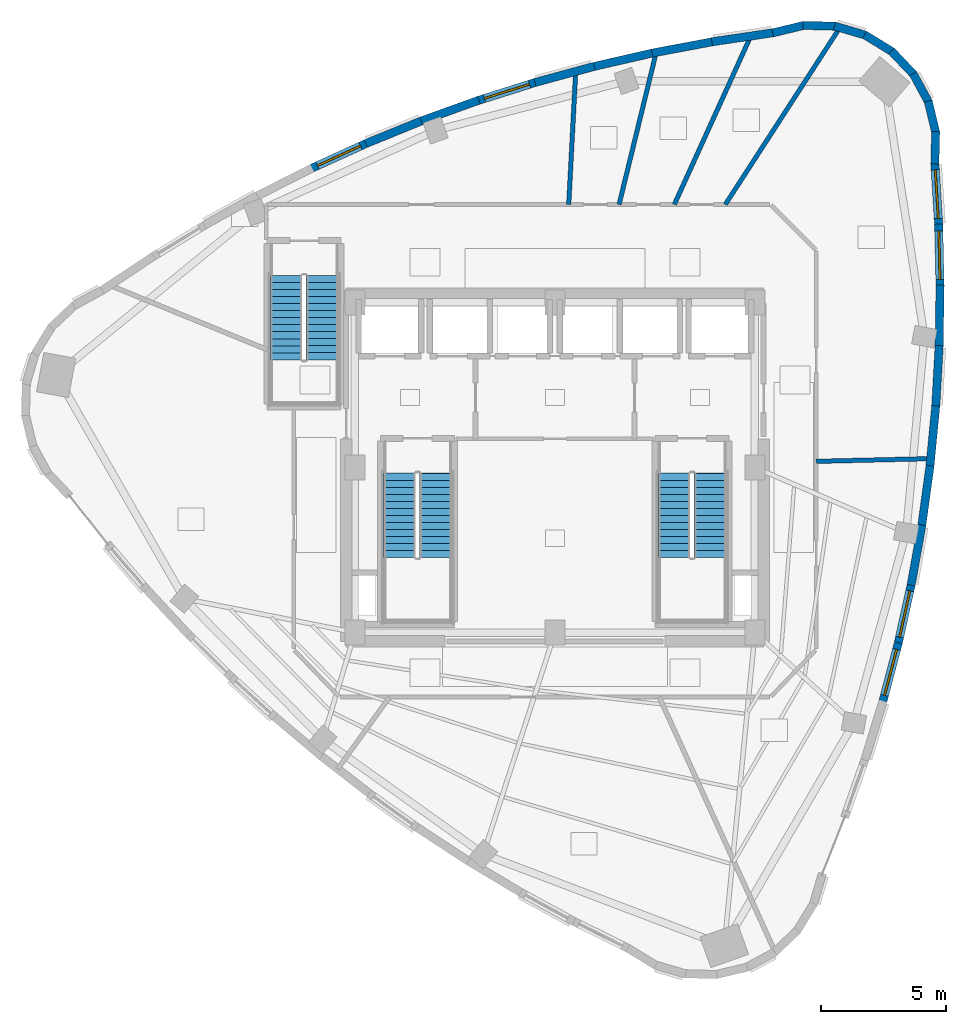
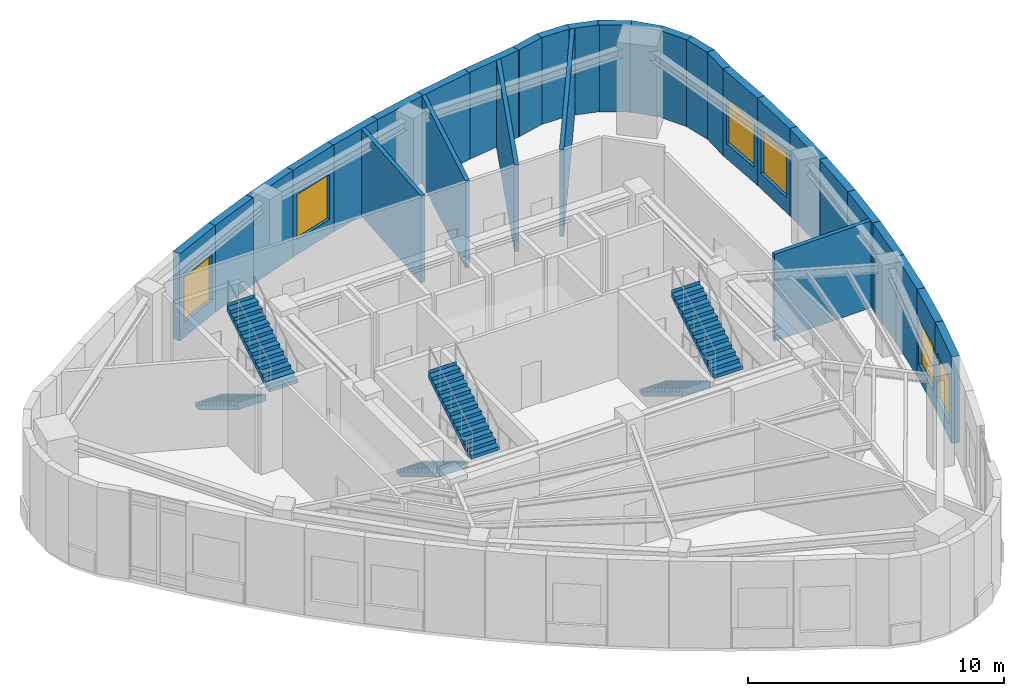
# One storey, part 10 of 13: 30 walls, 6 stair flights, 6 windows, 6 openings, 3 elements without a shape of their own.
"""IFC4 building model written with IfcOpenShell, lengths in metres."""

from ifc_helpers import new_model, si_unit, direction, frame, frame_2d, origin, place, context, subcontext, project, spatial, polyline, rectangle, outline, extrude, material, layer, layer_set, type_object, element, fill, aggregate, save


model = new_model("IFC4")

# Units and contexts
model_context = context("Model", 3, precision=1e-05, world=origin(), true_north=direction((0.0, 1.0)))
body_context = subcontext(model_context, "Body", "Model", "MODEL_VIEW")
ifc_project = project(units=[si_unit("LENGTHUNIT", "METRE"), si_unit("AREAUNIT", "SQUARE_METRE"), si_unit("VOLUMEUNIT", "CUBIC_METRE"), si_unit("PLANEANGLEUNIT", "RADIAN"), si_unit("MASSUNIT", "GRAM", prefix="KILO")], contexts=[model_context])

# Site, building, storey
site_placement = place(None, origin())
site = spatial("IfcSite", under=ifc_project, at=site_placement, CompositionType="ELEMENT")
building_placement = place(site_placement, origin())
building = spatial("IfcBuilding", under=site, at=building_placement, Name="Ndelora Gate Hotel", CompositionType="ELEMENT")
storey_placement = place(building_placement, frame((0.0, 0.0, 272.800048828125)))
storey = spatial("IfcBuildingStorey", under=building, at=storey_placement, Name="L68", CompositionType="ELEMENT", Elevation=272.800048828125)

# Walls
ifc_material_1 = material(Name="Acoustic Double-Stud Gypsum Assembly", Category="gypsum")
ifc_layer_1 = layer(ifc_material_1, 0.179931640625)
ifc_layer_set_1 = layer_set([ifc_layer_1], Name="Acoustic Double-Stud Gypsum Assembly")
wall_type_1 = type_object("IfcWallType", Name="WL-ACOUST-180", PredefinedType="PARTITIONING", material=ifc_layer_set_1)
wall_1_placement = place(storey_placement, frame((0.55126953125, 10.52001953125, 0.0), z_axis=(0.0, 0.0, 1.0), x_axis=(0.05234969433, 0.998628814677, 0.0)))
element("IfcWall", 1, at=wall_1_placement, inside=storey, type_object=wall_type_1, Name="L68 Interior Wall IW-3", PredefinedType="PARTITIONING", context=body_context, shape_type="SweptSolid", body=[
    extrude(rectangle(XDim=5.33056640625, YDim=0.179931640625, at=frame_2d((2.665283203125, 0.0))), origin(), (0.0, 0.0, 1.0), 4.14990234375),
])
wall_2_placement = place(storey_placement, frame((10.449951171875, 0.24609375, 0.0), z_axis=(0.0, 0.0, 1.0), x_axis=(0.999722471899, 0.023557996086, 0.0)))
element("IfcWall", 2, at=wall_2_placement, inside=storey, type_object=wall_type_1, Name="L68 Interior Wall IW-3", PredefinedType="PARTITIONING", context=body_context, shape_type="SweptSolid", body=[
    extrude(rectangle(XDim=4.58056640625, YDim=0.179931640625, at=frame_2d((2.290283203125, 0.0))), origin(), (0.0, 0.0, 1.0), 4.14990234375),
])
wall_3_placement = place(storey_placement, frame((6.813720703125, 10.52001953125, 0.0), z_axis=(0.0, 0.0, 1.0), x_axis=(0.543628362799, 0.839326041035, 0.0)))
element("IfcWall", 3, at=wall_3_placement, inside=storey, type_object=wall_type_1, Name="L68 Interior Wall IW-3", PredefinedType="PARTITIONING", context=body_context, shape_type="SweptSolid", body=[
    extrude(rectangle(XDim=8.42822265625, YDim=0.179931640625, at=frame_2d((4.214111328125, 0.0))), origin(), (0.0, 0.0, 1.0), 4.14990234375),
])
wall_4_placement = place(storey_placement, frame((4.77490234375, 10.52001953125, 0.0), z_axis=(0.0, 0.0, 1.0), x_axis=(0.41332058742, 0.910585576437, 0.0)))
element("IfcWall", 4, at=wall_4_placement, inside=storey, type_object=wall_type_1, Name="L68 Interior Wall IW-3", PredefinedType="PARTITIONING", context=body_context, shape_type="SweptSolid", body=[
    extrude(rectangle(XDim=7.39892578125, YDim=0.179931640625, at=frame_2d((3.699462890625, 0.0))), origin(), (0.0, 0.0, 1.0), 4.14990234375),
])
wall_5_placement = place(storey_placement, frame((2.565673828125, 10.52001953125, 0.0), z_axis=(0.0, 0.0, 1.0), x_axis=(0.236966048056, 0.971517931934, 0.0)))
element("IfcWall", 5, at=wall_5_placement, inside=storey, type_object=wall_type_1, Name="L68 Interior Wall IW-3", PredefinedType="PARTITIONING", context=body_context, shape_type="SweptSolid", body=[
    extrude(rectangle(XDim=6.26513671875, YDim=0.179931640625, at=frame_2d((3.132568359375, 0.0))), origin(), (0.0, 0.0, 1.0), 4.14990234375),
])

# Wall, opening, window
ifc_material_2 = material(Name="Clay Brick Masonry", Category="masonry")
ifc_layer_2 = layer(ifc_material_2, 0.330078125)
ifc_layer_set_2 = layer_set([ifc_layer_2], Name="Clay Brick Masonry")
wall_type_2 = type_object("IfcWallType", Name="WL-BRICK-330", PredefinedType="SOLIDWALL", material=ifc_layer_set_2)
wall_6_placement = place(storey_placement, frame((13.737060546875, -7.005615234375, 0.0), z_axis=(0.0, 0.0, 1.0), x_axis=(-0.255240594745, -0.966877571771, 0.0)))
wall_6 = element("IfcWall", 6, at=wall_6_placement, inside=storey, type_object=wall_type_2, Name="L68 Tower Brick Pier-and-Spandrel Wall TWR-32", PredefinedType="SOLIDWALL", context=body_context, shape_type="SweptSolid", body=[
    extrude(rectangle(XDim=2.460205078125, YDim=0.330078125, at=frame_2d((1.22998046875, 0.0))), origin(), (0.0, 0.0, 1.0), 4.14990234375),
])
opening_1_placement = place(wall_6_placement, frame((0.280029296875, 0.0, 0.719970703125)))
opening_1 = element("IfcOpeningElement", 7, at=opening_1_placement, cuts=wall_6, Name="Opening W05", PredefinedType="OPENING", context=body_context, shape_type="SweptSolid", body=[
    extrude(rectangle(XDim=1.89990234375, YDim=2.14990234375, at=frame_2d((0.949951171875, 1.074951171875))), frame((0.0, 0.175048828125, 0.0), z_axis=(0.0, -1.0, 0.0), x_axis=(1.0, 0.0, 0.0)), (0.0, 0.0, 1.0), 0.35009765625),
])
ifc_material_3 = material(Name="Insulated Low-E Double Glazing in Bronze Aluminium Frame", Category="aluminium")
window_type = type_object("IfcWindowType", Name="WN-SKY-2000", PartitioningType="SINGLE_PANEL", PredefinedType="WINDOW", material=ifc_material_3)
window_1_placement = place(opening_1_placement, origin())
window_1 = element("IfcWindow", 8, at=window_1_placement, inside=storey, type_object=window_type, Name="L68 Deep-Set Brick-Pier Window W05", OverallHeight=2.14990234375, OverallWidth=1.89990234375, PartitioningType="SINGLE_PANEL", PredefinedType="WINDOW", context=body_context, shape_type="SweptSolid", body=[
    extrude(rectangle(XDim=1.89990234375, YDim=2.14990234375, at=frame_2d((0.949951171875, 1.074951171875))), frame((0.0, 0.030029296875, 0.0), z_axis=(0.0, -1.0, 0.0), x_axis=(1.0, 0.0, 0.0)), (0.0, 0.0, 1.0), 0.06005859375),
])
fill(opening_1, window_1)

wall_7_placement = place(storey_placement, frame((14.25537109375, -4.66015625, 0.0), z_axis=(0.0, 0.0, 1.0), x_axis=(-0.216160793087, -0.976357778446, 0.0)))
wall_7 = element("IfcWall", 9, at=wall_7_placement, inside=storey, type_object=wall_type_2, Name="L68 Tower Brick Pier-and-Spandrel Wall TWR-33", PredefinedType="SOLIDWALL", context=body_context, shape_type="SweptSolid", body=[
    extrude(rectangle(XDim=2.451904296875, YDim=0.330078125, at=frame_2d((1.22607421875, 0.0))), origin(), (0.0, 0.0, 1.0), 4.14990234375),
])
opening_2_placement = place(wall_7_placement, frame((0.281005859375, 0.0, 0.719970703125)))
opening_2 = element("IfcOpeningElement", 10, at=opening_2_placement, cuts=wall_7, Name="Opening W05", PredefinedType="OPENING", context=body_context, shape_type="SweptSolid", body=[
    extrude(rectangle(XDim=1.889892578125, YDim=2.14990234375, at=frame_2d((0.94482421875, 1.074951171875))), frame((0.0, 0.175048828125, 0.0), z_axis=(0.0, -1.0, 0.0), x_axis=(1.0, 0.0, 0.0)), (0.0, 0.0, 1.0), 0.35009765625),
])
window_2_placement = place(opening_2_placement, origin())
window_2 = element("IfcWindow", 11, at=window_2_placement, inside=storey, type_object=window_type, Name="L68 Deep-Set Brick-Pier Window W05", OverallHeight=2.14990234375, OverallWidth=1.889892578125, PartitioningType="SINGLE_PANEL", PredefinedType="WINDOW", context=body_context, shape_type="SweptSolid", body=[
    extrude(rectangle(XDim=1.889892578125, YDim=2.14990234375, at=frame_2d((0.94482421875, 1.074951171875))), frame((0.0, 0.030029296875, 0.0), z_axis=(0.0, -1.0, 0.0), x_axis=(1.0, 0.0, 0.0)), (0.0, 0.0, 1.0), 0.06005859375),
])
fill(opening_2, window_2)

# Walls
wall_8_placement = place(storey_placement, frame((14.677490234375, -2.29931640625, 0.0), z_axis=(0.0, 0.0, 1.0), x_axis=(-0.176418802695, -0.984315196497, 0.0)))
element("IfcWall", 12, at=wall_8_placement, inside=storey, type_object=wall_type_2, Name="L68 Tower Brick Pier-and-Spandrel Wall TWR-34", PredefinedType="SOLIDWALL", context=body_context, shape_type="SweptSolid", body=[
    extrude(rectangle(XDim=2.447998046875, YDim=0.330078125, at=frame_2d((1.22412109375, 0.0))), origin(), (0.0, 0.0, 1.0), 4.14990234375),
])
wall_9_placement = place(storey_placement, frame((15.00341796875, 0.07666015625, 0.0), z_axis=(0.0, 0.0, 1.0), x_axis=(-0.136310087879, -0.990666220249, 0.0)))
element("IfcWall", 13, at=wall_9_placement, inside=storey, type_object=wall_type_2, Name="L68 Tower Brick Pier-and-Spandrel Wall TWR-35", PredefinedType="SOLIDWALL", context=body_context, shape_type="SweptSolid", body=[
    extrude(rectangle(XDim=2.448486328125, YDim=0.330078125, at=frame_2d((1.22412109375, 0.0))), origin(), (0.0, 0.0, 1.0), 4.14990234375),
])
wall_10_placement = place(storey_placement, frame((15.2333984375, 2.4677734375, 0.0), z_axis=(0.0, 0.0, 1.0), x_axis=(-0.096171472172, -0.995364781344, 0.0)))
element("IfcWall", 14, at=wall_10_placement, inside=storey, type_object=wall_type_2, Name="L68 Tower Brick Pier-and-Spandrel Wall TWR-36", PredefinedType="SOLIDWALL", context=body_context, shape_type="SweptSolid", body=[
    extrude(rectangle(XDim=2.452392578125, YDim=0.330078125, at=frame_2d((1.22607421875, 0.0))), origin(), (0.0, 0.0, 1.0), 4.14990234375),
])
wall_11_placement = place(storey_placement, frame((15.367431640625, 4.8740234375, 0.0), z_axis=(0.0, 0.0, 1.0), x_axis=(-0.055970171644, -0.998432441323, 0.0)))
element("IfcWall", 15, at=wall_11_placement, inside=storey, type_object=wall_type_2, Name="L68 Tower Brick Pier-and-Spandrel Wall TWR-37", PredefinedType="SOLIDWALL", context=body_context, shape_type="SweptSolid", body=[
    extrude(rectangle(XDim=2.460205078125, YDim=0.330078125, at=frame_2d((1.22998046875, 0.0))), origin(), (0.0, 0.0, 1.0), 4.14990234375),
])
wall_12_placement = place(storey_placement, frame((15.405517578125, 7.29541015625, 0.0), z_axis=(0.0, 0.0, 1.0), x_axis=(-0.016099859072, -0.999870388869, 0.0)))
element("IfcWall", 16, at=wall_12_placement, inside=storey, type_object=wall_type_2, Name="L68 Tower Brick Pier-and-Spandrel Wall TWR-38", PredefinedType="SOLIDWALL", context=body_context, shape_type="SweptSolid", body=[
    extrude(rectangle(XDim=2.4716796875, YDim=0.330078125, at=frame_2d((1.23583984375, 0.0))), origin(), (0.0, 0.0, 1.0), 4.14990234375),
])

# Wall, opening, window
wall_13_placement = place(storey_placement, frame((15.347412109375, 9.73193359375, 0.0), z_axis=(0.0, 0.0, 1.0), x_axis=(0.023459423149, -0.999724789862, 0.0)))
wall_13 = element("IfcWall", 17, at=wall_13_placement, inside=storey, type_object=wall_type_2, Name="L68 Tower Brick Pier-and-Spandrel Wall TWR-39", PredefinedType="SOLIDWALL", context=body_context, shape_type="SweptSolid", body=[
    extrude(rectangle(XDim=2.4873046875, YDim=0.330078125, at=frame_2d((1.24365234375, 0.0))), origin(), (0.0, 0.0, 1.0), 4.14990234375),
])
opening_3_placement = place(wall_13_placement, frame((0.278564453125, 0.0, 0.719970703125)))
opening_3 = element("IfcOpeningElement", 18, at=opening_3_placement, cuts=wall_13, Name="Opening W05", PredefinedType="OPENING", context=body_context, shape_type="SweptSolid", body=[
    extrude(rectangle(XDim=1.929931640625, YDim=2.14990234375, at=frame_2d((0.96484375, 1.074951171875))), frame((0.0, 0.175048828125, 0.0), z_axis=(0.0, -1.0, 0.0), x_axis=(1.0, 0.0, 0.0)), (0.0, 0.0, 1.0), 0.35009765625),
])
window_3_placement = place(opening_3_placement, origin())
window_3 = element("IfcWindow", 19, at=window_3_placement, inside=storey, type_object=window_type, Name="L68 Deep-Set Brick-Pier Window W05", OverallHeight=2.14990234375, OverallWidth=1.929931640625, PartitioningType="SINGLE_PANEL", PredefinedType="WINDOW", context=body_context, shape_type="SweptSolid", body=[
    extrude(rectangle(XDim=1.929931640625, YDim=2.14990234375, at=frame_2d((0.96484375, 1.074951171875))), frame((0.0, 0.030029296875, 0.0), z_axis=(0.0, -1.0, 0.0), x_axis=(1.0, 0.0, 0.0)), (0.0, 0.0, 1.0), 0.06005859375),
])
fill(opening_3, window_3)

wall_14_placement = place(storey_placement, frame((15.193359375, 12.183837890625, 0.0), z_axis=(0.0, 0.0, 1.0), x_axis=(0.062329780416, -0.998055608908, 0.0)))
wall_14 = element("IfcWall", 20, at=wall_14_placement, inside=storey, type_object=wall_type_2, Name="L68 Tower Brick Pier-and-Spandrel Wall TWR-40", PredefinedType="SOLIDWALL", context=body_context, shape_type="SweptSolid", body=[
    extrude(rectangle(XDim=2.5068359375, YDim=0.330078125, at=frame_2d((1.25341796875, 0.0))), origin(), (0.0, 0.0, 1.0), 4.14990234375),
])
opening_4_placement = place(wall_14_placement, frame((0.2783203125, 0.0, 0.719970703125)))
opening_4 = element("IfcOpeningElement", 21, at=opening_4_placement, cuts=wall_14, Name="Opening W05", PredefinedType="OPENING", context=body_context, shape_type="SweptSolid", body=[
    extrude(rectangle(XDim=1.949951171875, YDim=2.14990234375, at=frame_2d((0.97509765625, 1.074951171875))), frame((0.0, 0.175048828125, 0.0), z_axis=(0.0, -1.0, 0.0), x_axis=(1.0, 0.0, 0.0)), (0.0, 0.0, 1.0), 0.35009765625),
])
window_4_placement = place(opening_4_placement, origin())
window_4 = element("IfcWindow", 22, at=window_4_placement, inside=storey, type_object=window_type, Name="L68 Deep-Set Brick-Pier Window W05", OverallHeight=2.14990234375, OverallWidth=1.949951171875, PartitioningType="SINGLE_PANEL", PredefinedType="WINDOW", context=body_context, shape_type="SweptSolid", body=[
    extrude(rectangle(XDim=1.949951171875, YDim=2.14990234375, at=frame_2d((0.97509765625, 1.074951171875))), frame((0.0, 0.030029296875, 0.0), z_axis=(0.0, -1.0, 0.0), x_axis=(1.0, 0.0, 0.0)), (0.0, 0.0, 1.0), 0.06005859375),
])
fill(opening_4, window_4)

# Walls
wall_15_placement = place(storey_placement, frame((15.228515625, 13.4365234375, 0.0), z_axis=(0.0, 0.0, 1.0), x_axis=(-0.026227855826, -0.999655990618, 0.0)))
element("IfcWall", 23, at=wall_15_placement, inside=storey, type_object=wall_type_2, Name="L68 Tower Brick Pier-and-Spandrel Wall TWR-41", PredefinedType="SOLIDWALL", context=body_context, shape_type="SweptSolid", body=[
    extrude(rectangle(XDim=1.30322265625, YDim=0.330078125, at=frame_2d((0.651611328125, 0.0))), origin(), (0.0, 0.0, 1.0), 4.14990234375),
])
wall_16_placement = place(storey_placement, frame((14.929443359375, 14.654296875, 0.0), z_axis=(0.0, 0.0, 1.0), x_axis=(0.233443812137, -0.972370292931, 0.0)))
element("IfcWall", 24, at=wall_16_placement, inside=storey, type_object=wall_type_2, Name="L68 Tower Brick Pier-and-Spandrel Wall TWR-42", PredefinedType="SOLIDWALL", context=body_context, shape_type="SweptSolid", body=[
    extrude(rectangle(XDim=1.302978515625, YDim=0.330078125, at=frame_2d((0.6513671875, 0.0))), origin(), (0.0, 0.0, 1.0), 4.14990234375),
])
for number, where, z_axis, x_axis, name in (
    (25, (14.325439453125, 15.753173828125, 0.0), (0.0, 0.0, 1.0), (0.477158009766, -0.878817520146, 0.0), "L68 Tower Brick Pier-and-Spandrel Wall TWR-43"),
    (26, (13.45751953125, 16.658203125, 0.0), (0.0, 0.0, 1.0), (0.688316050819, -0.725410927809, 0.0), "L68 Tower Brick Pier-and-Spandrel Wall TWR-44"),
    (27, (12.385009765625, 17.307861328125, 0.0), (0.0, 0.0, 1.0), (0.852628177474, -0.522518125022, 0.0), "L68 Tower Brick Pier-and-Spandrel Wall TWR-45"),
    (28, (11.180908203125, 17.65771484375, 0.0), (0.0, 0.0, 1.0), (0.958820789243, -0.284011785169, 0.0), "L68 Tower Brick Pier-and-Spandrel Wall TWR-46"),
    (29, (9.92724609375, 17.68408203125, 0.0), (0.0, 0.0, 1.0), (0.999655990618, -0.026227855826, 0.0), "L68 Tower Brick Pier-and-Spandrel Wall TWR-47"),
):
    element("IfcWall", number, at=place(storey_placement, frame(where, z_axis=z_axis, x_axis=x_axis)), inside=storey, type_object=wall_type_2, Name=name, PredefinedType="SOLIDWALL", context=body_context, shape_type="SweptSolid", body=[
        extrude(rectangle(XDim=1.30322265625, YDim=0.330078125, at=frame_2d((0.651611328125, 0.0))), origin(), (0.0, 0.0, 1.0), 4.14990234375),
    ])
wall_17_placement = place(storey_placement, frame((8.709716796875, 17.385009765625, 0.0), z_axis=(0.0, 0.0, 1.0), x_axis=(0.972360080062, 0.233486347997, 0.0)))
element("IfcWall", 30, at=wall_17_placement, inside=storey, type_object=wall_type_2, Name="L68 Tower Brick Pier-and-Spandrel Wall TWR-48", PredefinedType="SOLIDWALL", context=body_context, shape_type="SweptSolid", body=[
    extrude(rectangle(XDim=1.302978515625, YDim=0.330078125, at=frame_2d((0.6513671875, 0.0))), origin(), (0.0, 0.0, 1.0), 4.14990234375),
])
wall_18_placement = place(storey_placement, frame((6.279296875, 17.027099609375, 0.0), z_axis=(0.0, 0.0, 1.0), x_axis=(0.989195615859, 0.146601615152, 0.0)))
element("IfcWall", 31, at=wall_18_placement, inside=storey, type_object=wall_type_2, Name="L68 Tower Brick Pier-and-Spandrel Wall TWR-49", PredefinedType="SOLIDWALL", context=body_context, shape_type="SweptSolid", body=[
    extrude(rectangle(XDim=2.50634765625, YDim=0.330078125, at=frame_2d((1.253173828125, 0.0))), origin(), (0.0, 0.0, 1.0), 4.14990234375),
])
wall_19_placement = place(storey_placement, frame((3.884033203125, 16.575439453125, 0.0), z_axis=(0.0, 0.0, 1.0), x_axis=(0.982755323562, 0.184910719024, 0.0)))
element("IfcWall", 32, at=wall_19_placement, inside=storey, type_object=wall_type_2, Name="L68 Tower Brick Pier-and-Spandrel Wall TWR-50", PredefinedType="SOLIDWALL", context=body_context, shape_type="SweptSolid", body=[
    extrude(rectangle(XDim=2.487548828125, YDim=0.330078125, at=frame_2d((1.24365234375, 0.0))), origin(), (0.0, 0.0, 1.0), 4.14990234375),
])
wall_20_placement = place(storey_placement, frame((1.523681640625, 16.032958984375, 0.0), z_axis=(0.0, 0.0, 1.0), x_axis=(0.974681670362, 0.223597051545, 0.0)))
element("IfcWall", 33, at=wall_20_placement, inside=storey, type_object=wall_type_2, Name="L68 Tower Brick Pier-and-Spandrel Wall TWR-51", PredefinedType="SOLIDWALL", context=body_context, shape_type="SweptSolid", body=[
    extrude(rectangle(XDim=2.471923828125, YDim=0.330078125, at=frame_2d((1.23583984375, 0.0))), origin(), (0.0, 0.0, 1.0), 4.14990234375),
])
wall_21_placement = place(storey_placement, frame((-0.801513671875, 15.3994140625, 0.0), z_axis=(0.0, 0.0, 1.0), x_axis=(0.964933096461, 0.262495941596, 0.0)))
element("IfcWall", 34, at=wall_21_placement, inside=storey, type_object=wall_type_2, Name="L68 Tower Brick Pier-and-Spandrel Wall TWR-52", PredefinedType="SOLIDWALL", context=body_context, shape_type="SweptSolid", body=[
    extrude(rectangle(XDim=2.4599609375, YDim=0.330078125, at=frame_2d((1.22998046875, 0.0))), origin(), (0.0, 0.0, 1.0), 4.14990234375),
])

# Wall, opening, window
wall_22_placement = place(storey_placement, frame((-3.091796875, 14.675537109375, 0.0), z_axis=(0.0, 0.0, 1.0), x_axis=(0.953629301066, 0.300983647643, 0.0)))
wall_22 = element("IfcWall", 35, at=wall_22_placement, inside=storey, type_object=wall_type_2, Name="L68 Tower Brick Pier-and-Spandrel Wall TWR-53", PredefinedType="SOLIDWALL", context=body_context, shape_type="SweptSolid", body=[
    extrude(rectangle(XDim=2.4521484375, YDim=0.330078125, at=frame_2d((1.22607421875, 0.0))), origin(), (0.0, 0.0, 1.0), 4.14990234375),
])
opening_5_placement = place(wall_22_placement, frame((0.281005859375, 0.0, 0.719970703125)))
opening_5 = element("IfcOpeningElement", 36, at=opening_5_placement, cuts=wall_22, Name="Opening W05", PredefinedType="OPENING", context=body_context, shape_type="SweptSolid", body=[
    extrude(rectangle(XDim=1.889892578125, YDim=2.14990234375, at=frame_2d((0.94482421875, 1.074951171875))), frame((0.0, 0.175048828125, 0.0), z_axis=(0.0, -1.0, 0.0), x_axis=(1.0, 0.0, 0.0)), (0.0, 0.0, 1.0), 0.35009765625),
])
window_5_placement = place(opening_5_placement, origin())
window_5 = element("IfcWindow", 37, at=window_5_placement, inside=storey, type_object=window_type, Name="L68 Deep-Set Brick-Pier Window W05", OverallHeight=2.14990234375, OverallWidth=1.889892578125, PartitioningType="SINGLE_PANEL", PredefinedType="WINDOW", context=body_context, shape_type="SweptSolid", body=[
    extrude(rectangle(XDim=1.889892578125, YDim=2.14990234375, at=frame_2d((0.94482421875, 1.074951171875))), frame((0.0, 0.030029296875, 0.0), z_axis=(0.0, -1.0, 0.0), x_axis=(1.0, 0.0, 0.0)), (0.0, 0.0, 1.0), 0.06005859375),
])
fill(opening_5, window_5)

# Walls
for number, where, z_axis, x_axis, name in (
    (38, (-5.347412109375, 13.860595703125, 0.0), (0.0, 0.0, 1.0), (0.940660924574, 0.33934794088, 0.0), "L68 Tower Brick Pier-and-Spandrel Wall TWR-54"),
    (39, (-7.568115234375, 12.955078125, 0.0), (0.0, 0.0, 1.0), (0.926147843888, 0.377160670355, 0.0), "L68 Tower Brick Pier-and-Spandrel Wall TWR-55"),
):
    element("IfcWall", number, at=place(storey_placement, frame(where, z_axis=z_axis, x_axis=x_axis)), inside=storey, type_object=wall_type_2, Name=name, PredefinedType="SOLIDWALL", context=body_context, shape_type="SweptSolid", body=[
        extrude(rectangle(XDim=2.4482421875, YDim=0.330078125, at=frame_2d((1.22412109375, 0.0))), origin(), (0.0, 0.0, 1.0), 4.14990234375),
    ])

# Wall, opening, window
wall_23_placement = place(storey_placement, frame((-9.75390625, 11.958740234375, 0.0), z_axis=(0.0, 0.0, 1.0), x_axis=(0.910103748432, 0.414380461763, 0.0)))
wall_23 = element("IfcWall", 40, at=wall_23_placement, inside=storey, type_object=wall_type_2, Name="L68 Tower Brick Pier-and-Spandrel Wall TWR-56", PredefinedType="SOLIDWALL", context=body_context, shape_type="SweptSolid", body=[
    extrude(rectangle(XDim=2.4521484375, YDim=0.330078125, at=frame_2d((1.22607421875, 0.0))), origin(), (0.0, 0.0, 1.0), 4.14990234375),
])
opening_6_placement = place(wall_23_placement, frame((0.281005859375, 0.0, 0.719970703125)))
opening_6 = element("IfcOpeningElement", 41, at=opening_6_placement, cuts=wall_23, Name="Opening W05", PredefinedType="OPENING", context=body_context, shape_type="SweptSolid", body=[
    extrude(rectangle(XDim=1.889892578125, YDim=2.14990234375, at=frame_2d((0.94482421875, 1.074951171875))), frame((0.0, 0.175048828125, 0.0), z_axis=(0.0, -1.0, 0.0), x_axis=(1.0, 0.0, 0.0)), (0.0, 0.0, 1.0), 0.35009765625),
])
window_6_placement = place(opening_6_placement, origin())
window_6 = element("IfcWindow", 42, at=window_6_placement, inside=storey, type_object=window_type, Name="L68 Deep-Set Brick-Pier Window W05", OverallHeight=2.14990234375, OverallWidth=1.889892578125, PartitioningType="SINGLE_PANEL", PredefinedType="WINDOW", context=body_context, shape_type="SweptSolid", body=[
    extrude(rectangle(XDim=1.889892578125, YDim=2.14990234375, at=frame_2d((0.94482421875, 1.074951171875))), frame((0.0, 0.030029296875, 0.0), z_axis=(0.0, -1.0, 0.0), x_axis=(1.0, 0.0, 0.0)), (0.0, 0.0, 1.0), 0.06005859375),
])
fill(opening_6, window_6)

# Stair, stair flights
ifc_material_4 = material(Name="Precast concrete C40/50", Category="concrete")
stair_type = type_object("IfcStairType", Name="STR-DOG-CORE", PredefinedType="HALF_TURN_STAIR", material=ifc_material_4)
stair_1_placement = place(storey_placement, origin())
stair_1 = element("IfcStair", 43, at=stair_1_placement, inside=storey, type_object=stair_type, Name="L68 Protected Core Exit Stair ST4", PredefinedType="HALF_TURN_STAIR")
stair_flight_type = type_object("IfcStairFlightType", Name="STF-PRECAST", PredefinedType="STRAIGHT", material=ifc_material_4)
stair_flight_1_placement = place(storey_placement, frame((-6.2099609375, -0.22998046875, 0.0), z_axis=(0.0, 0.0, 1.0), x_axis=(0.0, -1.0, 0.0)))
stair_flight_1 = element("IfcStairFlight", 44, at=stair_flight_1_placement, type_object=stair_flight_type, Name="ST4 flight 1", NumberOfRisers=13, NumberOfTreads=12, PredefinedType="STRAIGHT", RiserHeight=0.169230769, TreadLength=0.28, context=body_context, shape_type="SweptSolid", body=[
    extrude(outline(polyline([(-0.00048828125, 0.0), (-0.00048828125, 0.169189453125), (0.0, 0.169189453125), (0.280029296875, 0.169189453125), (0.280029296875, 0.33837890625), (0.56005859375, 0.33837890625), (0.56005859375, 0.5078125), (0.840087890625, 0.5078125), (0.840087890625, 0.677001953125), (1.1201171875, 0.677001953125), (1.1201171875, 0.84619140625), (1.39990234375, 0.84619140625), (1.39990234375, 1.015380859375), (1.679931640625, 1.015380859375), (1.679931640625, 1.1845703125), (1.9599609375, 1.1845703125), (1.9599609375, 1.353759765625), (2.239990234375, 1.353759765625), (2.239990234375, 1.523193359375), (2.52001953125, 1.523193359375), (2.52001953125, 1.6923828125), (2.800048828125, 1.6923828125), (2.800048828125, 1.861572265625), (3.080078125, 1.861572265625), (3.080078125, 2.03076171875), (3.360107421875, 2.03076171875), (3.360107421875, 2.199951171875), (3.360595703125, 2.199951171875), (3.360595703125, 2.02001953125), (3.360107421875, 1.855712890625), (0.289794921875, 0.0), (-0.00048828125, 0.0)])), frame((0.0, 0.64013671875, 0.0), z_axis=(0.0, -1.0, 0.0), x_axis=(1.0, 0.0, 0.0)), (0.0, 0.0, 1.0), 1.280029296875),
])
stair_flight_2_placement = place(storey_placement, frame((-4.77001953125, -3.590087890625, 2.199951171875), z_axis=(0.0, 0.0, 1.0), x_axis=(0.0, 1.0, 0.0)))
stair_flight_2 = element("IfcStairFlight", 45, at=stair_flight_2_placement, type_object=stair_flight_type, Name="ST4 flight 2", NumberOfRisers=13, NumberOfTreads=12, PredefinedType="STRAIGHT", RiserHeight=0.169230769, TreadLength=0.28, context=body_context, shape_type="SweptSolid", body=[
    extrude(outline(polyline([(-0.00048828125, 0.0), (-0.00048828125, 0.169189453125), (0.0, 0.169189453125), (0.280029296875, 0.169189453125), (0.280029296875, 0.33837890625), (0.56005859375, 0.33837890625), (0.56005859375, 0.5078125), (0.840087890625, 0.5078125), (0.840087890625, 0.677001953125), (1.1201171875, 0.677001953125), (1.1201171875, 0.84619140625), (1.39990234375, 0.84619140625), (1.39990234375, 1.015380859375), (1.679931640625, 1.015380859375), (1.679931640625, 1.1845703125), (1.9599609375, 1.1845703125), (1.9599609375, 1.353759765625), (2.239990234375, 1.353759765625), (2.239990234375, 1.523193359375), (2.52001953125, 1.523193359375), (2.52001953125, 1.6923828125), (2.800048828125, 1.6923828125), (2.800048828125, 1.861572265625), (3.080078125, 1.861572265625), (3.080078125, 2.03076171875), (3.360107421875, 2.03076171875), (3.360107421875, 2.199951171875), (3.360595703125, 2.199951171875), (3.360595703125, 2.02001953125), (3.360107421875, 1.855712890625), (0.289794921875, 0.0), (-0.00048828125, 0.0)])), frame((0.0, 0.64013671875, 0.0), z_axis=(0.0, -1.0, 0.0), x_axis=(1.0, 0.0, 0.0)), (0.0, 0.0, 1.0), 1.280029296875),
])
aggregate(stair_1, [stair_flight_1, stair_flight_2])

stair_2_placement = place(storey_placement, origin())
stair_2 = element("IfcStair", 46, at=stair_2_placement, inside=storey, type_object=stair_type, Name="L68 Protected Core Exit Stair ST5", PredefinedType="HALF_TURN_STAIR")
stair_flight_3_placement = place(storey_placement, frame((4.77001953125, -0.22998046875, 0.0), z_axis=(0.0, 0.0, 1.0), x_axis=(0.0, -1.0, 0.0)))
stair_flight_3 = element("IfcStairFlight", 47, at=stair_flight_3_placement, type_object=stair_flight_type, Name="ST5 flight 1", NumberOfRisers=13, NumberOfTreads=12, PredefinedType="STRAIGHT", RiserHeight=0.169230769, TreadLength=0.28, context=body_context, shape_type="SweptSolid", body=[
    extrude(outline(polyline([(-0.00048828125, 0.0), (-0.00048828125, 0.169189453125), (0.0, 0.169189453125), (0.280029296875, 0.169189453125), (0.280029296875, 0.33837890625), (0.56005859375, 0.33837890625), (0.56005859375, 0.5078125), (0.840087890625, 0.5078125), (0.840087890625, 0.677001953125), (1.1201171875, 0.677001953125), (1.1201171875, 0.84619140625), (1.39990234375, 0.84619140625), (1.39990234375, 1.015380859375), (1.679931640625, 1.015380859375), (1.679931640625, 1.1845703125), (1.9599609375, 1.1845703125), (1.9599609375, 1.353759765625), (2.239990234375, 1.353759765625), (2.239990234375, 1.523193359375), (2.52001953125, 1.523193359375), (2.52001953125, 1.6923828125), (2.800048828125, 1.6923828125), (2.800048828125, 1.861572265625), (3.080078125, 1.861572265625), (3.080078125, 2.03076171875), (3.360107421875, 2.03076171875), (3.360107421875, 2.199951171875), (3.360595703125, 2.199951171875), (3.360595703125, 2.02001953125), (3.360107421875, 1.855712890625), (0.289794921875, 0.0), (-0.00048828125, 0.0)])), frame((0.0, 0.64013671875, 0.0), z_axis=(0.0, -1.0, 0.0), x_axis=(1.0, 0.0, 0.0)), (0.0, 0.0, 1.0), 1.280029296875),
])
stair_flight_4_placement = place(storey_placement, frame((6.2099609375, -3.590087890625, 2.199951171875), z_axis=(0.0, 0.0, 1.0), x_axis=(0.0, 1.0, 0.0)))
stair_flight_4 = element("IfcStairFlight", 48, at=stair_flight_4_placement, type_object=stair_flight_type, Name="ST5 flight 2", NumberOfRisers=13, NumberOfTreads=12, PredefinedType="STRAIGHT", RiserHeight=0.169230769, TreadLength=0.28, context=body_context, shape_type="SweptSolid", body=[
    extrude(outline(polyline([(-0.00048828125, 0.0), (-0.00048828125, 0.169189453125), (0.0, 0.169189453125), (0.280029296875, 0.169189453125), (0.280029296875, 0.33837890625), (0.56005859375, 0.33837890625), (0.56005859375, 0.5078125), (0.840087890625, 0.5078125), (0.840087890625, 0.677001953125), (1.1201171875, 0.677001953125), (1.1201171875, 0.84619140625), (1.39990234375, 0.84619140625), (1.39990234375, 1.015380859375), (1.679931640625, 1.015380859375), (1.679931640625, 1.1845703125), (1.9599609375, 1.1845703125), (1.9599609375, 1.353759765625), (2.239990234375, 1.353759765625), (2.239990234375, 1.523193359375), (2.52001953125, 1.523193359375), (2.52001953125, 1.6923828125), (2.800048828125, 1.6923828125), (2.800048828125, 1.861572265625), (3.080078125, 1.861572265625), (3.080078125, 2.03076171875), (3.360107421875, 2.03076171875), (3.360107421875, 2.199951171875), (3.360595703125, 2.199951171875), (3.360595703125, 2.02001953125), (3.360107421875, 1.855712890625), (0.289794921875, 0.0), (-0.00048828125, 0.0)])), frame((0.0, 0.64013671875, 0.0), z_axis=(0.0, -1.0, 0.0), x_axis=(1.0, 0.0, 0.0)), (0.0, 0.0, 1.0), 1.280029296875),
])
aggregate(stair_2, [stair_flight_3, stair_flight_4])

stair_3_placement = place(storey_placement, origin())
stair_3 = element("IfcStair", 49, at=stair_3_placement, inside=storey, type_object=stair_type, Name="L68 Crown Observation Exit Stair ST6", PredefinedType="HALF_TURN_STAIR")
stair_flight_5_placement = place(storey_placement, frame((-10.75, 7.669921875, 0.0), z_axis=(0.0, 0.0, 1.0), x_axis=(0.0, -1.0, 0.0)))
stair_flight_5 = element("IfcStairFlight", 50, at=stair_flight_5_placement, type_object=stair_flight_type, Name="ST6 flight 1", NumberOfRisers=13, NumberOfTreads=12, PredefinedType="STRAIGHT", RiserHeight=0.169230769, TreadLength=0.28, context=body_context, shape_type="SweptSolid", body=[
    extrude(outline(polyline([(-0.00048828125, 0.0), (-0.00048828125, 0.169189453125), (0.0, 0.169189453125), (0.280029296875, 0.169189453125), (0.280029296875, 0.33837890625), (0.56005859375, 0.33837890625), (0.56005859375, 0.5078125), (0.840087890625, 0.5078125), (0.840087890625, 0.677001953125), (1.1201171875, 0.677001953125), (1.1201171875, 0.84619140625), (1.39990234375, 0.84619140625), (1.39990234375, 1.015380859375), (1.679931640625, 1.015380859375), (1.679931640625, 1.1845703125), (1.9599609375, 1.1845703125), (1.9599609375, 1.353759765625), (2.239990234375, 1.353759765625), (2.239990234375, 1.523193359375), (2.52001953125, 1.523193359375), (2.52001953125, 1.6923828125), (2.800048828125, 1.6923828125), (2.800048828125, 1.861572265625), (3.080078125, 1.861572265625), (3.080078125, 2.03076171875), (3.360107421875, 2.03076171875), (3.360107421875, 2.199951171875), (3.360595703125, 2.199951171875), (3.360595703125, 2.02001953125), (3.360107421875, 1.855712890625), (0.289794921875, 0.0), (-0.00048828125, 0.0)])), frame((0.0, 0.64013671875, 0.0), z_axis=(0.0, -1.0, 0.0), x_axis=(1.0, 0.0, 0.0)), (0.0, 0.0, 1.0), 1.280029296875),
])
stair_flight_6_placement = place(storey_placement, frame((-9.31005859375, 4.31005859375, 2.199951171875), z_axis=(0.0, 0.0, 1.0), x_axis=(0.0, 1.0, 0.0)))
stair_flight_6 = element("IfcStairFlight", 51, at=stair_flight_6_placement, type_object=stair_flight_type, Name="ST6 flight 2", NumberOfRisers=13, NumberOfTreads=12, PredefinedType="STRAIGHT", RiserHeight=0.169230769, TreadLength=0.28, context=body_context, shape_type="SweptSolid", body=[
    extrude(outline(polyline([(-0.00048828125, 0.0), (-0.00048828125, 0.169189453125), (0.0, 0.169189453125), (0.280029296875, 0.169189453125), (0.280029296875, 0.33837890625), (0.56005859375, 0.33837890625), (0.56005859375, 0.5078125), (0.840087890625, 0.5078125), (0.840087890625, 0.677001953125), (1.1201171875, 0.677001953125), (1.1201171875, 0.84619140625), (1.39990234375, 0.84619140625), (1.39990234375, 1.015380859375), (1.679931640625, 1.015380859375), (1.679931640625, 1.1845703125), (1.9599609375, 1.1845703125), (1.9599609375, 1.353759765625), (2.239990234375, 1.353759765625), (2.239990234375, 1.523193359375), (2.52001953125, 1.523193359375), (2.52001953125, 1.6923828125), (2.800048828125, 1.6923828125), (2.800048828125, 1.861572265625), (3.080078125, 1.861572265625), (3.080078125, 2.03076171875), (3.360107421875, 2.03076171875), (3.360107421875, 2.199951171875), (3.360595703125, 2.199951171875), (3.360595703125, 2.02001953125), (3.360107421875, 1.855712890625), (0.289794921875, 0.0), (-0.00048828125, 0.0)])), frame((0.0, 0.64013671875, 0.0), z_axis=(0.0, -1.0, 0.0), x_axis=(1.0, 0.0, 0.0)), (0.0, 0.0, 1.0), 1.280029296875),
])
aggregate(stair_3, [stair_flight_5, stair_flight_6])

save(model, "model.ifc")
